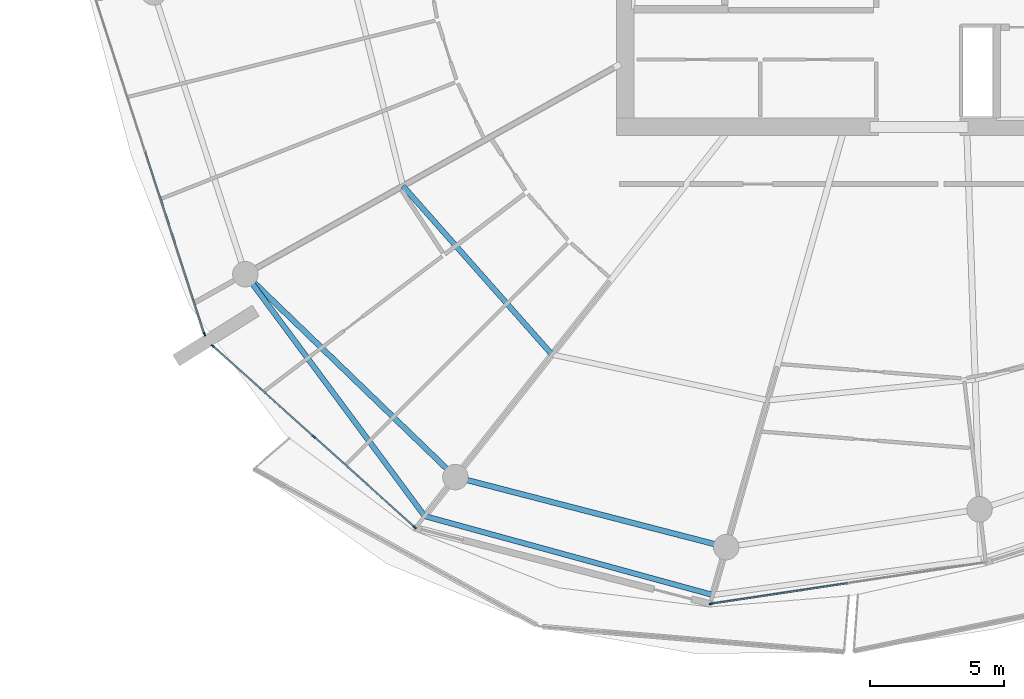
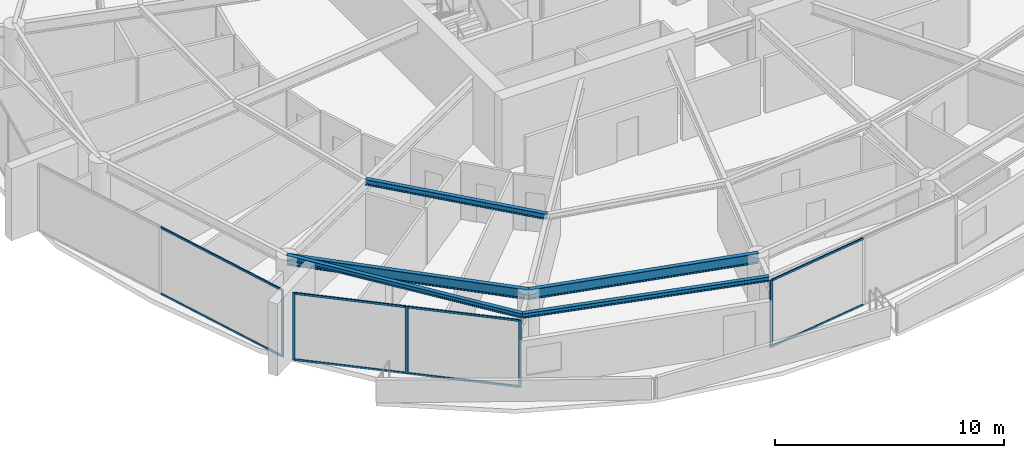
# One storey, part 6 of 31: 13 members, 5 beams, 3 elements without a shape of their own.
"""IFC4 building model written with IfcOpenShell, lengths in metres."""

import ifcopenshell
import ifcopenshell.guid

model = None  # the IFC model being written
_history = None  # IfcOwnerHistory: only IFC2X3 demands one
_inside = {}  # id of a spatial element -> (the spatial element, [elements in it])
_under = {}  # id of a project, library or spatial element -> (it, [spatial elements below it])
_declared = {}  # id of a project -> (the project, [libraries it declares])
_typed = {}  # id of a type object -> (the type object, [elements of that type])
_made_of = {}  # id of a material, layer set ... -> (it, [elements and type objects made of it])


def new_model(schema):
    """Start an empty IFC model of exactly this schema.

    Asked for "IFC4X3", IfcOpenShell would pick the latest addendum, in which some entities
    have other attributes; the version numbers below select the first issue.
    IFC2X3 requires an IfcOwnerHistory on every rooted entity: one is made here for all.
    """
    global model, _history
    if schema == "IFC4X3":
        model = ifcopenshell.file(schema_version=(4, 3, 0, 0))
    else:
        model = ifcopenshell.file(schema=schema)
    _inside.clear()
    _under.clear()
    _declared.clear()
    _typed.clear()
    _made_of.clear()
    _history = None
    if model.schema == "IFC2X3":
        org = make("IfcOrganization", Name="unknown")
        user = make(
            "IfcPersonAndOrganization",
            ThePerson=make("IfcPerson", FamilyName="unknown"),
            TheOrganization=org,
        )
        app = make(
            "IfcApplication",
            ApplicationDeveloper=org,
            Version="unknown",
            ApplicationFullName="unknown",
            ApplicationIdentifier="unknown",
        )
        _history = make(
            "IfcOwnerHistory",
            OwningUser=user,
            OwningApplication=app,
            ChangeAction="ADDED",
            CreationDate=0,
        )
    return model


def make(cls, **values):
    """One entity of the class cls with the attributes given. An attribute that is None is left unset."""
    return model.create_entity(
        cls, **{name: value for name, value in values.items() if value is not None}
    )


def rooted(cls, **values):
    """An entity with a GlobalId (a new one), such as an element, a storey or a relation."""
    return make(cls, GlobalId=ifcopenshell.guid.new(), OwnerHistory=_history, **values)


def si_unit(unit_type, name, prefix=None):
    """IfcSIUnit, for example si_unit("LENGTHUNIT", "METRE", prefix="MILLI")."""
    return make("IfcSIUnit", UnitType=unit_type, Prefix=prefix, Name=name)


def assignment(units):
    """IfcUnitAssignment: the units of a project."""
    return None if units is None else make("IfcUnitAssignment", Units=units)


def point(xyz):
    """IfcCartesianPoint."""
    return None if xyz is None else make("IfcCartesianPoint", Coordinates=xyz)


def direction(xyz):
    """IfcDirection."""
    return None if xyz is None else make("IfcDirection", DirectionRatios=xyz)


def frame(location, z_axis=None, x_axis=None):
    """IfcAxis2Placement3D, a coordinate frame: its origin and axes. An axis left out is left unset."""
    return make(
        "IfcAxis2Placement3D",
        Location=point(location),
        Axis=direction(z_axis),
        RefDirection=direction(x_axis),
    )


def frame_2d(location, x_axis=None):
    """IfcAxis2Placement2D, a coordinate frame in the plane: its origin and x axis."""
    return make(
        "IfcAxis2Placement2D", Location=point(location), RefDirection=direction(x_axis)
    )


def origin():
    """The frame at (0, 0, 0) with its axes left unset."""
    return frame((0.0, 0.0, 0.0))


def origin_2d():
    """The frame at (0, 0) in the plane with its x axis left unset."""
    return frame_2d((0.0, 0.0))


def place(relative_to, where):
    """IfcLocalPlacement: puts the frame where relative to a parent placement (None: the world)."""
    return make(
        "IfcLocalPlacement", PlacementRelTo=relative_to, RelativePlacement=where
    )


def context(
    kind, dimensions, precision=None, world=None, true_north=None, identifier=None
):
    """IfcGeometricRepresentationContext, for example the 3D "Model" context."""
    return make(
        "IfcGeometricRepresentationContext",
        ContextIdentifier=identifier,
        ContextType=kind,
        CoordinateSpaceDimension=dimensions,
        Precision=precision,
        WorldCoordinateSystem=world,
        TrueNorth=true_north,
    )


def subcontext(parent, identifier, kind, view, scale=None):
    """IfcGeometricRepresentationSubContext, for example "Body" below "Model"."""
    return make(
        "IfcGeometricRepresentationSubContext",
        ContextIdentifier=identifier,
        ContextType=kind,
        ParentContext=parent,
        TargetScale=scale,
        TargetView=view,
    )


def project(units=None, contexts=None):
    """IfcProject with its units and contexts."""
    return rooted(
        "IfcProject",
        Name="project",
        RepresentationContexts=contexts,
        UnitsInContext=assignment(units),
    )


def spatial(cls, under=None, at=None, **own):
    """A site, building, storey or space (cls), placed at a placement, below another one or the project."""
    s = rooted(cls, ObjectPlacement=at, **own)
    if under is not None:
        _under.setdefault(under.id(), (under, []))[1].append(s)
    return s


def profile(cls, at=None, kind="AREA", **sizes):
    """A parametric profile (cls). Its sizes go by their IFC names, for example OverallWidth=200.0."""
    return make(cls, ProfileType=kind, Position=at, **sizes)


def rectangle(**sizes):
    """IfcRectangleProfileDef."""
    return profile("IfcRectangleProfileDef", **sizes)


def i_section(**sizes):
    """IfcIShapeProfileDef."""
    return profile("IfcIShapeProfileDef", **sizes)


def extrude(swept, where, along, depth):
    """IfcExtrudedAreaSolid: the profile swept, set in the frame where, extruded along a direction by depth."""
    return make(
        "IfcExtrudedAreaSolid",
        SweptArea=swept,
        Position=where,
        ExtrudedDirection=direction(along),
        Depth=depth,
    )


def shape(context_of_items, identifier, shape_type, items):
    """IfcShapeRepresentation: the items that make up one representation, for example the "Body"."""
    return make(
        "IfcShapeRepresentation",
        ContextOfItems=context_of_items,
        RepresentationIdentifier=identifier,
        RepresentationType=shape_type,
        Items=items,
    )


def material(Name=None, Category=None):
    """IfcMaterial."""
    return make("IfcMaterial", Name=Name, Category=Category)


def layer(
    of_material, thickness, ventilated=None, Name=None, Category=None, Priority=None
):
    """IfcMaterialLayer: one layer of a wall or slab, of a material (None: an air gap)."""
    return make(
        "IfcMaterialLayer",
        Material=of_material,
        LayerThickness=thickness,
        IsVentilated=ventilated,
        Name=Name,
        Category=Category,
        Priority=Priority,
    )


def layer_set(layers, Name=None):
    """IfcMaterialLayerSet."""
    return make("IfcMaterialLayerSet", MaterialLayers=layers, LayerSetName=Name)


def material_profile(
    of_material, cross_section, Name=None, Category=None, Priority=None
):
    """IfcMaterialProfile: a cross section and its material."""
    return make(
        "IfcMaterialProfile",
        Name=Name,
        Material=of_material,
        Profile=cross_section,
        Priority=Priority,
        Category=Category,
    )


def profile_set(profiles, Name=None, composite=None):
    """IfcMaterialProfileSet."""
    return make(
        "IfcMaterialProfileSet",
        Name=Name,
        MaterialProfiles=profiles,
        CompositeProfile=composite,
    )


def made_of(thing, what):
    """Note that an element or type object is made of a material, layer set ...; save() writes the relation."""
    if what is not None:
        _made_of.setdefault(what.id(), (what, []))[1].append(thing)
    return thing


def type_object(cls, material=None, **own):
    """A type object (cls), such as IfcWallType, which elements share."""
    return made_of(rooted(cls, **own), material)


def element(
    cls,
    number,
    at=None,
    inside=None,
    cuts=None,
    type_object=None,
    material=None,
    context=None,
    identifier="Body",
    shape_type=None,
    held_by="IfcProductDefinitionShape",
    body=None,
    shapes=None,
    **own,
):
    """One element of the class cls, such as IfcWall. Its Tag is "e" and its number.

    at: its placement. inside: the storey or other place that contains it. cuts: it is an
    opening in that element (IfcRelVoidsElement). A single representation is given by context,
    identifier, shape_type and body (its items); several are given by shapes. held_by: the class
    of the entity that holds the representations. save() writes the other relations.
    """
    e = rooted(cls, Tag="e%d" % number, ObjectPlacement=at, **own)
    if body is not None:
        shapes = [shape(context, identifier, shape_type, body)]
    if shapes is not None:
        e.Representation = make(held_by, Representations=shapes)
    if inside is not None:
        _inside.setdefault(inside.id(), (inside, []))[1].append(e)
    if cuts is not None:
        rooted(
            "IfcRelVoidsElement", RelatingBuildingElement=cuts, RelatedOpeningElement=e
        )
    if type_object is not None:
        _typed.setdefault(type_object.id(), (type_object, []))[1].append(e)
    return made_of(e, material)


def aggregate(whole, parts):
    """IfcRelAggregates: a whole, such as a stair, and the parts it consists of."""
    return rooted("IfcRelAggregates", RelatingObject=whole, RelatedObjects=parts)


def save(model, path):
    """Write the relations noted so far, then the file.

    IfcRelAggregates (storeys below a building ...), IfcRelContainedInSpatialStructure (elements
    in a storey), IfcRelDefinesByType, IfcRelAssociatesMaterial and IfcRelDeclares: one each for
    every whole, place, type object, material and project.
    """
    for whole, parts in _under.values():
        aggregate(whole, parts)
    for where, things in _inside.values():
        rooted(
            "IfcRelContainedInSpatialStructure",
            RelatedElements=things,
            RelatingStructure=where,
        )
    for kind, things in _typed.values():
        rooted("IfcRelDefinesByType", RelatedObjects=things, RelatingType=kind)
    for what, things in _made_of.values():
        rooted("IfcRelAssociatesMaterial", RelatedObjects=things, RelatingMaterial=what)
    for by, libraries in _declared.values():
        rooted("IfcRelDeclares", RelatingContext=by, RelatedDefinitions=libraries)
    model.write(path)


model = new_model("IFC4")

# Units and contexts
model_context = context("Model", 3, precision=1e-05, world=origin(), true_north=direction((0.0, 1.0)))
body_context = subcontext(model_context, "Body", "Model", "MODEL_VIEW")
ifc_project = project(units=[si_unit("LENGTHUNIT", "METRE"), si_unit("AREAUNIT", "SQUARE_METRE"), si_unit("VOLUMEUNIT", "CUBIC_METRE"), si_unit("PLANEANGLEUNIT", "RADIAN"), si_unit("MASSUNIT", "GRAM", prefix="KILO")], contexts=[model_context])

# Site, building, storey
site_placement = place(None, origin())
site = spatial("IfcSite", under=ifc_project, at=site_placement, CompositionType="ELEMENT")
building_placement = place(site_placement, origin())
building = spatial("IfcBuilding", under=site, at=building_placement, Name="Kazma Halo Residences", CompositionType="ELEMENT")
storey_placement = place(building_placement, frame((0.0, 0.0, 259.800048828125)))
storey = spatial("IfcBuildingStorey", under=building, at=storey_placement, Name="L65", CompositionType="ELEMENT", Elevation=259.800048828125)

# Beams
ifc_material_1 = material(Name="Steel S355", Category="steel")
ifc_material_profile_1 = material_profile(ifc_material_1, i_section(OverallWidth=0.201904296875, OverallDepth=0.2470703125, WebThickness=0.00732421875, FlangeThickness=0.010986328125, FilletRadius=0.011962890625, at=origin_2d()), Name="W250x49.1")
ifc_profile_set_1 = profile_set([ifc_material_profile_1], Name="Steel S355")
beam_type_1 = type_object("IfcBeamType", Name="BM-BAL-CANT", PredefinedType="BEAM", material=ifc_profile_set_1)
beam_1_placement = place(storey_placement, frame((23.32958984375, 28.18408203125, 3.466552734375), z_axis=(0.595556062515, -0.803313747176, 0.0), x_axis=(0.803313747176, 0.595556062515, 0.0)))
element("IfcBeam", 1, at=beam_1_placement, inside=storey, type_object=beam_type_1, Name="L65 wave-balcony lead tie beam 09", PredefinedType="BEAM", context=body_context, shape_type="SweptSolid", body=[
    extrude(i_section(OverallWidth=0.201904296875, OverallDepth=0.2470703125, WebThickness=0.00732421875, FlangeThickness=0.010986328125, FilletRadius=0.011962890625, at=origin_2d()), origin(), (0.0, 0.0, 1.0), 11.213134765625),
])
beam_2_placement = place(storey_placement, frame((30.007568359375, 19.176513671875, 3.466552734375), z_axis=(0.964514665976, -0.264029277006, 0.0), x_axis=(0.264029277006, 0.964514665976, 0.0)))
element("IfcBeam", 2, at=beam_2_placement, inside=storey, type_object=beam_type_1, Name="L65 wave-balcony tie beam 10", PredefinedType="BEAM", context=body_context, shape_type="SweptSolid", body=[
    extrude(i_section(OverallWidth=0.201904296875, OverallDepth=0.2470703125, WebThickness=0.00732421875, FlangeThickness=0.010986328125, FilletRadius=0.011962890625, at=origin_2d()), origin(), (0.0, 0.0, 1.0), 11.1220703125),
])
ifc_material_profile_2 = material_profile(ifc_material_1, i_section(OverallWidth=0.202880859375, OverallDepth=0.302978515625, WebThickness=0.007568359375, FlangeThickness=0.01318359375, FilletRadius=0.013916015625, at=origin_2d()), Name="W310x60")
ifc_profile_set_2 = profile_set([ifc_material_profile_2], Name="Steel S355")
beam_type_2 = type_object("IfcBeamType", Name="BM-SEC-W310A", PredefinedType="JOIST", material=ifc_profile_set_2)
beam_3_placement = place(storey_placement, frame((29.197265625, 31.469970703125, 3.4384765625), z_axis=(0.662539311942, -0.749027142453, 0.0), x_axis=(0.749027142453, 0.662539311942, 0.0)))
element("IfcBeam", 3, at=beam_3_placement, inside=storey, type_object=beam_type_2, Name="L65 circumferential floor joist 09", PredefinedType="JOIST", context=body_context, shape_type="SweptSolid", body=[
    extrude(i_section(OverallWidth=0.202880859375, OverallDepth=0.302978515625, WebThickness=0.007568359375, FlangeThickness=0.01318359375, FilletRadius=0.013916015625, at=origin_2d()), origin(), (0.0, 0.0, 1.0), 8.381103515625),
])
ifc_material_profile_3 = material_profile(ifc_material_1, i_section(OverallWidth=0.208984375, OverallDepth=0.532958984375, WebThickness=0.01025390625, FlangeThickness=0.015625, FilletRadius=0.01611328125, at=origin_2d()), Name="W530x92")
ifc_profile_set_3 = profile_set([ifc_material_profile_3], Name="Steel S355")
beam_type_3 = type_object("IfcBeamType", Name="BM-SPN-W530", PredefinedType="BEAM", material=ifc_profile_set_3)
beam_4_placement = place(storey_placement, frame((23.32958984375, 28.18408203125, 3.323486328125), z_axis=(0.719345757929, -0.694652201141, 0.0), x_axis=(0.694652201141, 0.719345757929, 0.0)))
element("IfcBeam", 4, at=beam_4_placement, inside=storey, type_object=beam_type_3, Name="L65 perimeter ring beam 09", PredefinedType="BEAM", context=body_context, shape_type="SweptSolid", body=[
    extrude(i_section(OverallWidth=0.208984375, OverallDepth=0.532958984375, WebThickness=0.01025390625, FlangeThickness=0.015625, FilletRadius=0.01611328125, at=origin_2d()), origin(), (0.0, 0.0, 1.0), 10.87548828125),
])
beam_5_placement = place(storey_placement, frame((31.15283203125, 20.62939453125, 3.323486328125), z_axis=(0.968126042852, -0.250463500639, 0.0), x_axis=(0.250463500639, 0.968126042852, 0.0)))
element("IfcBeam", 5, at=beam_5_placement, inside=storey, type_object=beam_type_3, Name="L65 perimeter ring beam 10", PredefinedType="BEAM", context=body_context, shape_type="SweptSolid", body=[
    extrude(i_section(OverallWidth=0.208984375, OverallDepth=0.532958984375, WebThickness=0.01025390625, FlangeThickness=0.015625, FilletRadius=0.01611328125, at=origin_2d()), origin(), (0.0, 0.0, 1.0), 10.416259765625),
])

# Curtain wall, member
ifc_material_2 = material(Name="Aluminium AW-6063 T6 and Triple-Silver Low-E Glass", Category="aluminium")
ifc_layer = layer(ifc_material_2, 0.139892578125)
ifc_layer_set = layer_set([ifc_layer], Name="Aluminium AW-6063 T6 and Triple-Silver Low-E Glass")
curtain_wall_type = type_object("IfcCurtainWallType", Name="CW-SYS-5", PredefinedType="NOTDEFINED", material=ifc_layer_set)
curtain_wall_1_placement = place(storey_placement, origin())
curtain_wall_1 = element("IfcCurtainWall", 6, at=curtain_wall_1_placement, inside=storey, type_object=curtain_wall_type, Name="L65 unitised curtain wall B08", PredefinedType="NOTDEFINED")
ifc_material_3 = material(Name="Aluminium AW-6063 T6", Category="aluminium")
ifc_material_profile_4 = material_profile(ifc_material_3, rectangle(XDim=0.06005859375, YDim=0.139892578125, at=origin_2d()), Name="CWM-60x140")
ifc_profile_set_4 = profile_set([ifc_material_profile_4], Name="Aluminium AW-6063 T6")
member_type_1 = type_object("IfcMemberType", Name="CW-SYS-5-MUL", PredefinedType="MULLION", material=ifc_profile_set_4)
member_1_placement = place(storey_placement, frame((21.8076171875, 25.9521484375, 0.0), z_axis=(0.0, 0.0, 1.0), x_axis=(0.951058464359, 0.309010998786, 0.0)))
member_1 = element("IfcMember", 7, at=member_1_placement, type_object=member_type_1, Name="CWS-5 mullion 3", PredefinedType="MULLION", context=body_context, shape_type="SweptSolid", body=[
    extrude(rectangle(XDim=0.06005859375, YDim=0.139892578125, at=origin_2d()), origin(), (0.0, 0.0, 1.0), 3.58984375),
])

# Curtain wall, members
curtain_wall_2_placement = place(storey_placement, origin())
curtain_wall_2 = element("IfcCurtainWall", 8, at=curtain_wall_2_placement, inside=storey, type_object=curtain_wall_type, Name="L65 unitised curtain wall B09", PredefinedType="NOTDEFINED")
member_2_placement = place(storey_placement, frame((22.11669921875, 25.508056640625, 0.0), z_axis=(0.0, 0.0, 1.0), x_axis=(0.667804826958, 0.744336424671, 0.0)))
member_2 = element("IfcMember", 9, at=member_2_placement, type_object=member_type_1, Name="CWS-5 mullion 1", PredefinedType="MULLION", context=body_context, shape_type="SweptSolid", body=[
    extrude(rectangle(XDim=0.06005859375, YDim=0.139892578125, at=origin_2d()), origin(), (0.0, 0.0, 1.0), 3.58984375),
])
member_3_placement = place(storey_placement, frame((25.878173828125, 22.13330078125, 0.0), z_axis=(0.0, 0.0, 1.0), x_axis=(0.667804826958, 0.744336424671, 0.0)))
member_3 = element("IfcMember", 10, at=member_3_placement, type_object=member_type_1, Name="CWS-5 mullion 2", PredefinedType="MULLION", context=body_context, shape_type="SweptSolid", body=[
    extrude(rectangle(XDim=0.06005859375, YDim=0.139892578125, at=origin_2d()), origin(), (0.0, 0.0, 1.0), 3.58984375),
])
member_4_placement = place(storey_placement, frame((29.6396484375, 18.758544921875, 0.0), z_axis=(0.0, 0.0, 1.0), x_axis=(0.667804826958, 0.744336424671, 0.0)))
member_4 = element("IfcMember", 11, at=member_4_placement, type_object=member_type_1, Name="CWS-5 mullion 3", PredefinedType="MULLION", context=body_context, shape_type="SweptSolid", body=[
    extrude(rectangle(XDim=0.06005859375, YDim=0.139892578125, at=origin_2d()), origin(), (0.0, 0.0, 1.0), 3.58984375),
])

# Curtain wall, member
curtain_wall_3_placement = place(storey_placement, origin())
curtain_wall_3 = element("IfcCurtainWall", 12, at=curtain_wall_3_placement, inside=storey, type_object=curtain_wall_type, Name="L65 unitised curtain wall B11", PredefinedType="NOTDEFINED")
member_5_placement = place(storey_placement, frame((40.671142578125, 15.912841796875, 0.0), z_axis=(0.0, 0.0, 1.0), x_axis=(-0.148697080374, 0.988882792998, 0.0)))
member_5 = element("IfcMember", 13, at=member_5_placement, type_object=member_type_1, Name="CWS-5 mullion 1", PredefinedType="MULLION", context=body_context, shape_type="SweptSolid", body=[
    extrude(rectangle(XDim=0.06005859375, YDim=0.139892578125, at=origin_2d()), origin(), (0.0, 0.0, 1.0), 3.58984375),
])

# Member
ifc_material_profile_5 = material_profile(ifc_material_3, rectangle(XDim=0.06005859375, YDim=0.10498046875, at=origin_2d()), Name="CWT-60x105")
ifc_profile_set_5 = profile_set([ifc_material_profile_5], Name="Aluminium AW-6063 T6")
member_type_2 = type_object("IfcMemberType", Name="CW-SYS-5-TRN", PredefinedType="USERDEFINED", material=ifc_profile_set_5)
member_6_placement = place(storey_placement, frame((19.6015625, 32.7412109375, 0.030029296875), z_axis=(0.309027052142, -0.95105324827, 0.0), x_axis=(0.95105324827, 0.309027052142, 0.0)))
member_6 = element("IfcMember", 14, at=member_6_placement, type_object=member_type_2, Name="CWS-5 transom 2.1", ObjectType="TRANSOM", PredefinedType="USERDEFINED", context=body_context, shape_type="SweptSolid", body=[
    extrude(rectangle(XDim=0.06005859375, YDim=0.10498046875, at=origin_2d()), origin(), (0.0, 0.0, 1.0), 7.108642578125),
])

member_7_placement = place(storey_placement, frame((19.6015625, 32.7412109375, 3.56005859375), z_axis=(0.309027052142, -0.95105324827, 0.0), x_axis=(0.95105324827, 0.309027052142, 0.0)))
member_7 = element("IfcMember", 15, at=member_7_placement, type_object=member_type_2, Name="CWS-5 transom 2.2", ObjectType="TRANSOM", PredefinedType="USERDEFINED", context=body_context, shape_type="SweptSolid", body=[
    extrude(rectangle(XDim=0.06005859375, YDim=0.10498046875, at=origin_2d()), origin(), (0.0, 0.0, 1.0), 7.108642578125),
])

aggregate(curtain_wall_1, [member_1, member_6, member_7])

member_8_placement = place(storey_placement, frame((22.138916015625, 25.488037109375, 0.030029296875), z_axis=(0.744328897483, -0.667813216679, 0.0), x_axis=(0.667813216679, 0.744328897483, 0.0)))
member_8 = element("IfcMember", 16, at=member_8_placement, type_object=member_type_2, Name="CWS-5 transom 1.1", ObjectType="TRANSOM", PredefinedType="USERDEFINED", context=body_context, shape_type="SweptSolid", body=[
    extrude(rectangle(XDim=0.06005859375, YDim=0.10498046875, at=origin_2d()), origin(), (0.0, 0.0, 1.0), 4.993408203125),
])

member_9_placement = place(storey_placement, frame((22.138916015625, 25.488037109375, 3.56005859375), z_axis=(0.744328897483, -0.667813216679, 0.0), x_axis=(0.667813216679, 0.744328897483, 0.0)))
member_9 = element("IfcMember", 17, at=member_9_placement, type_object=member_type_2, Name="CWS-5 transom 1.2", ObjectType="TRANSOM", PredefinedType="USERDEFINED", context=body_context, shape_type="SweptSolid", body=[
    extrude(rectangle(XDim=0.06005859375, YDim=0.10498046875, at=origin_2d()), origin(), (0.0, 0.0, 1.0), 4.993408203125),
])

member_10_placement = place(storey_placement, frame((25.900390625, 22.11328125, 0.030029296875), z_axis=(0.744350700793, -0.667788914425, 0.0), x_axis=(0.667788914425, 0.744350700793, 0.0)))
member_10 = element("IfcMember", 18, at=member_10_placement, type_object=member_type_2, Name="CWS-5 transom 2.1", ObjectType="TRANSOM", PredefinedType="USERDEFINED", context=body_context, shape_type="SweptSolid", body=[
    extrude(rectangle(XDim=0.06005859375, YDim=0.10498046875, at=origin_2d()), origin(), (0.0, 0.0, 1.0), 4.99365234375),
])

member_11_placement = place(storey_placement, frame((25.900390625, 22.11328125, 3.56005859375), z_axis=(0.744350700793, -0.667788914425, 0.0), x_axis=(0.667788914425, 0.744350700793, 0.0)))
member_11 = element("IfcMember", 19, at=member_11_placement, type_object=member_type_2, Name="CWS-5 transom 2.2", ObjectType="TRANSOM", PredefinedType="USERDEFINED", context=body_context, shape_type="SweptSolid", body=[
    extrude(rectangle(XDim=0.06005859375, YDim=0.10498046875, at=origin_2d()), origin(), (0.0, 0.0, 1.0), 4.99365234375),
])

aggregate(curtain_wall_2, [member_2, member_3, member_4, member_8, member_9, member_10, member_11])

member_12_placement = place(storey_placement, frame((40.70068359375, 15.917236328125, 0.030029296875), z_axis=(0.988883972013, 0.148689239341, 0.0), x_axis=(-0.148689239341, 0.988883972013, 0.0)))
member_12 = element("IfcMember", 20, at=member_12_placement, type_object=member_type_2, Name="CWS-5 transom 1.1", ObjectType="TRANSOM", PredefinedType="USERDEFINED", context=body_context, shape_type="SweptSolid", body=[
    extrude(rectangle(XDim=0.06005859375, YDim=0.10498046875, at=origin_2d()), origin(), (0.0, 0.0, 1.0), 5.099853515625),
])

member_13_placement = place(storey_placement, frame((40.70068359375, 15.917236328125, 3.56005859375), z_axis=(0.988883972013, 0.148689239341, 0.0), x_axis=(-0.148689239341, 0.988883972013, 0.0)))
member_13 = element("IfcMember", 21, at=member_13_placement, type_object=member_type_2, Name="CWS-5 transom 1.2", ObjectType="TRANSOM", PredefinedType="USERDEFINED", context=body_context, shape_type="SweptSolid", body=[
    extrude(rectangle(XDim=0.06005859375, YDim=0.10498046875, at=origin_2d()), origin(), (0.0, 0.0, 1.0), 5.099853515625),
])

aggregate(curtain_wall_3, [member_5, member_12, member_13])

save(model, "model.ifc")
